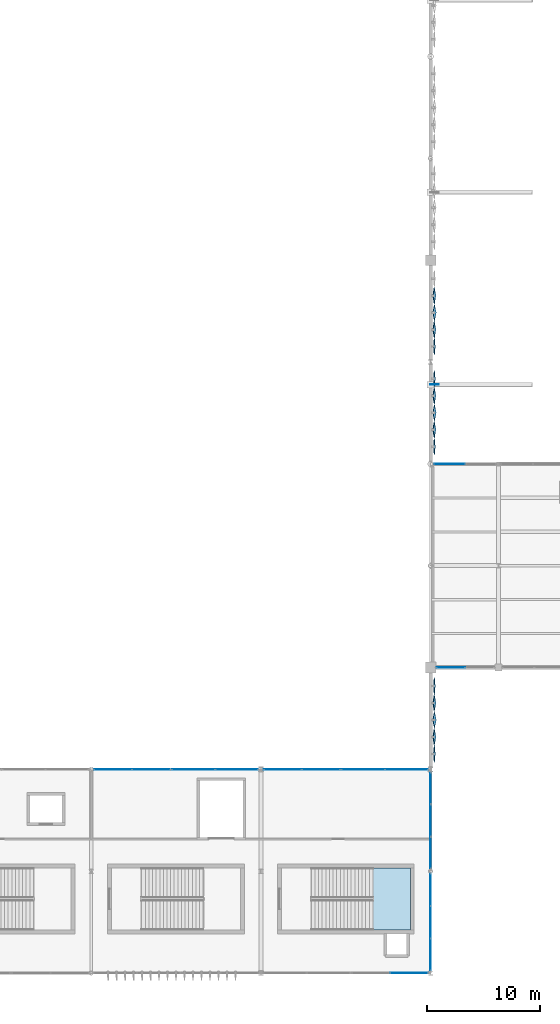
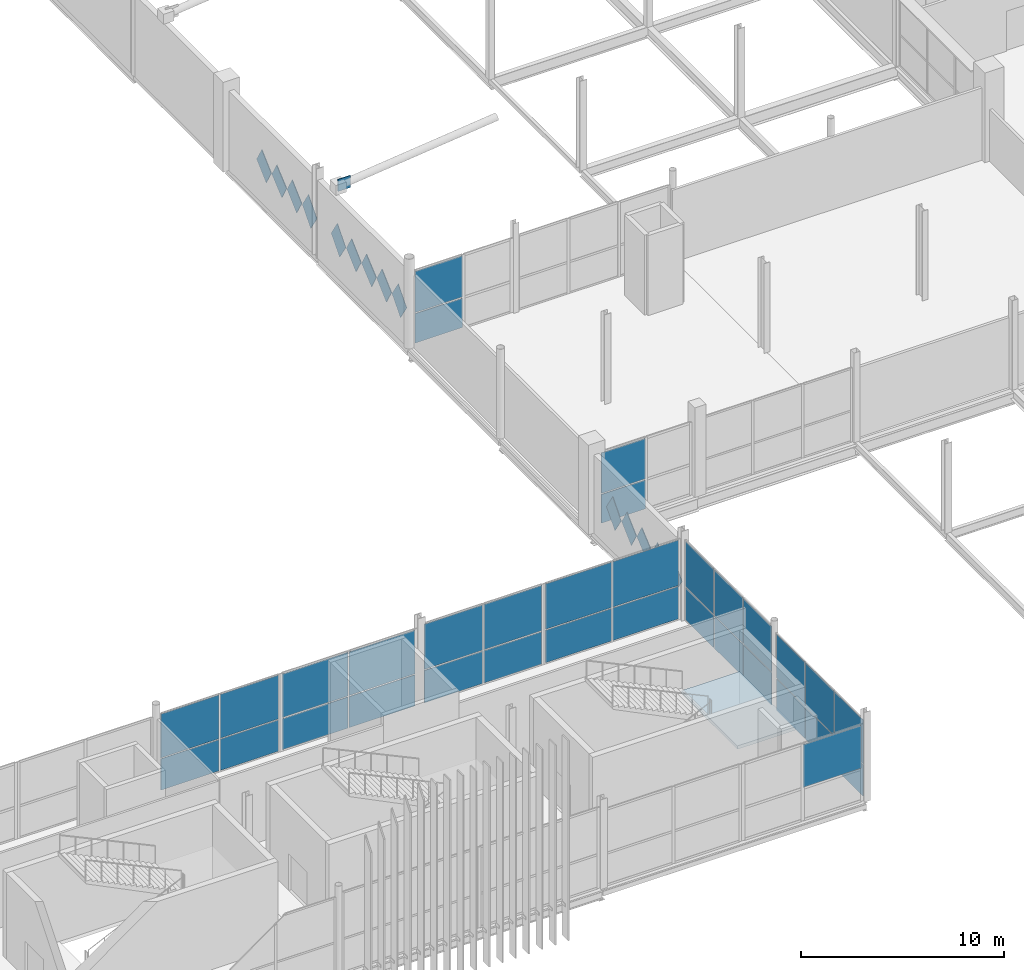
# One storey, part 71 of 119: 48 plates, 1 slab, 10 elements without a shape of their own.
"""IFC4 building model written with IfcOpenShell, lengths in metres."""

from ifc_helpers import new_model, si_unit, direction, frame, origin, origin_2d, place, context, subcontext, project, spatial, polyline, rectangle, outline, extrude, material, layer, layer_set, type_object, element, aggregate, save


model = new_model("IFC4")

# Units and contexts
model_context = context("Model", 3, precision=1e-05, world=origin(), true_north=direction((0.0, 1.0)))
body_context = subcontext(model_context, "Body", "Model", "MODEL_VIEW")
ifc_project = project(units=[si_unit("LENGTHUNIT", "METRE"), si_unit("AREAUNIT", "SQUARE_METRE"), si_unit("VOLUMEUNIT", "CUBIC_METRE"), si_unit("PLANEANGLEUNIT", "RADIAN"), si_unit("MASSUNIT", "GRAM", prefix="KILO")], contexts=[model_context])

# Site, building, storey
site_placement = place(None, origin())
site = spatial("IfcSite", under=ifc_project, at=site_placement, CompositionType="ELEMENT")
building_placement = place(site_placement, origin())
building = spatial("IfcBuilding", under=site, at=building_placement, Name="Qamarlyn Nura Convention Centre", CompositionType="ELEMENT")
storey_placement = place(building_placement, frame((0.0, 0.0, 5.39990234375)))
storey = spatial("IfcBuildingStorey", under=building, at=storey_placement, Name="L01", CompositionType="ELEMENT", Elevation=5.39990234375)

# Curtain wall, plates
ifc_material_1 = material(Name="Double-silver low-E insulated glass", Category="glass")
ifc_layer_1 = layer(ifc_material_1, 0.179931640625, Name="CW-UNIT-05")
ifc_layer_set_1 = layer_set([ifc_layer_1], Name="Double-silver low-E insulated glass")
curtain_wall_type_1 = type_object("IfcCurtainWallType", Name="CW-UNIT-05", PredefinedType="NOTDEFINED", material=ifc_layer_set_1)
curtain_wall_1_placement = place(storey_placement, origin())
curtain_wall_1 = element("IfcCurtainWall", 1, at=curtain_wall_1_placement, inside=storey, type_object=curtain_wall_type_1, Name="L01 unitised curtain wall V1-INT-S3-1A", PredefinedType="NOTDEFINED")
ifc_layer_2 = layer(ifc_material_1, 0.028076171875, Name="CWP-VIS-28")
ifc_layer_set_2 = layer_set([ifc_layer_2], Name="Double-silver low-E insulated glass")
plate_type_1 = type_object("IfcPlateType", Name="CWP-VIS-28", PredefinedType="CURTAIN_PANEL", material=ifc_layer_set_2)
plate_1_placement = place(storey_placement, frame((91.9228515625, 18.0, 0.06005859375), z_axis=(0.0, 0.0, 1.0), x_axis=(1.0, 0.0, 0.0)))
plate_1 = element("IfcPlate", 2, at=plate_1_placement, type_object=plate_type_1, Name="CW05 panel 1.1", PredefinedType="CURTAIN_PANEL", context=body_context, shape_type="SweptSolid", body=[
    extrude(rectangle(XDim=3.319091796875, YDim=0.028076171875, at=origin_2d()), origin(), (0.0, 0.0, 1.0), 1.884033203125),
])
plate_2_placement = place(storey_placement, frame((91.9228515625, 18.0, 2.00390625), z_axis=(0.0, 0.0, 1.0), x_axis=(1.0, 0.0, 0.0)))
plate_2 = element("IfcPlate", 3, at=plate_2_placement, type_object=plate_type_1, Name="CW05 panel 1.2", PredefinedType="CURTAIN_PANEL", context=body_context, shape_type="SweptSolid", body=[
    extrude(rectangle(XDim=3.319091796875, YDim=0.028076171875, at=origin_2d()), origin(), (0.0, 0.0, 1.0), 2.635009765625),
])
plate_3_placement = place(storey_placement, frame((95.302001953125, 18.0, 0.06005859375), z_axis=(0.0, 0.0, 1.0), x_axis=(1.0, 0.0, 0.0)))
plate_3 = element("IfcPlate", 4, at=plate_3_placement, type_object=plate_type_1, Name="CW05 panel 2.1", PredefinedType="CURTAIN_PANEL", context=body_context, shape_type="SweptSolid", body=[
    extrude(rectangle(XDim=3.319091796875, YDim=0.028076171875, at=origin_2d()), origin(), (0.0, 0.0, 1.0), 1.884033203125),
])
plate_4_placement = place(storey_placement, frame((95.302001953125, 18.0, 2.00390625), z_axis=(0.0, 0.0, 1.0), x_axis=(1.0, 0.0, 0.0)))
plate_4 = element("IfcPlate", 5, at=plate_4_placement, type_object=plate_type_1, Name="CW05 panel 2.2", PredefinedType="CURTAIN_PANEL", context=body_context, shape_type="SweptSolid", body=[
    extrude(rectangle(XDim=3.319091796875, YDim=0.028076171875, at=origin_2d()), origin(), (0.0, 0.0, 1.0), 2.635009765625),
])
aggregate(curtain_wall_1, [plate_1, plate_2, plate_3, plate_4])

ifc_layer_3 = layer(ifc_material_1, 0.179931640625, Name="CW-UNIT-06")
ifc_layer_set_3 = layer_set([ifc_layer_3], Name="Double-silver low-E insulated glass")
curtain_wall_type_2 = type_object("IfcCurtainWallType", Name="CW-UNIT-06", PredefinedType="NOTDEFINED", material=ifc_layer_set_3)
curtain_wall_2_placement = place(storey_placement, origin())
curtain_wall_2 = element("IfcCurtainWall", 6, at=curtain_wall_2_placement, inside=storey, type_object=curtain_wall_type_2, Name="L01 unitised curtain wall V1-INT-S3-1B", PredefinedType="NOTDEFINED")
plate_5_placement = place(storey_placement, frame((99.04248046875, 18.0, 0.0703125), z_axis=(0.0, 0.0, 1.0), x_axis=(1.0, 0.0, 0.0)))
plate_5 = element("IfcPlate", 7, at=plate_5_placement, type_object=plate_type_1, Name="CW06 panel 1.1", PredefinedType="CURTAIN_PANEL", context=body_context, shape_type="SweptSolid", body=[
    extrude(rectangle(XDim=3.741943359375, YDim=0.028076171875, at=origin_2d()), origin(), (0.0, 0.0, 1.0), 1.868896484375),
])
plate_6_placement = place(storey_placement, frame((99.04248046875, 18.0, 2.009033203125), z_axis=(0.0, 0.0, 1.0), x_axis=(1.0, 0.0, 0.0)))
plate_6 = element("IfcPlate", 8, at=plate_6_placement, type_object=plate_type_1, Name="CW06 panel 1.2", PredefinedType="CURTAIN_PANEL", context=body_context, shape_type="SweptSolid", body=[
    extrude(rectangle(XDim=3.741943359375, YDim=0.028076171875, at=origin_2d()), origin(), (0.0, 0.0, 1.0), 2.6201171875),
])
plate_7_placement = place(storey_placement, frame((102.8544921875, 18.0, 0.0703125), z_axis=(0.0, 0.0, 1.0), x_axis=(1.0, 0.0, 0.0)))
plate_7 = element("IfcPlate", 9, at=plate_7_placement, type_object=plate_type_1, Name="CW06 panel 2.1", PredefinedType="CURTAIN_PANEL", context=body_context, shape_type="SweptSolid", body=[
    extrude(rectangle(XDim=3.741943359375, YDim=0.028076171875, at=origin_2d()), origin(), (0.0, 0.0, 1.0), 1.868896484375),
])
plate_8_placement = place(storey_placement, frame((102.8544921875, 18.0, 2.009033203125), z_axis=(0.0, 0.0, 1.0), x_axis=(1.0, 0.0, 0.0)))
plate_8 = element("IfcPlate", 10, at=plate_8_placement, type_object=plate_type_1, Name="CW06 panel 2.2", PredefinedType="CURTAIN_PANEL", context=body_context, shape_type="SweptSolid", body=[
    extrude(rectangle(XDim=3.741943359375, YDim=0.028076171875, at=origin_2d()), origin(), (0.0, 0.0, 1.0), 2.6201171875),
])
aggregate(curtain_wall_2, [plate_5, plate_6, plate_7, plate_8])

ifc_layer_4 = layer(ifc_material_1, 0.179931640625, Name="CW-UNIT-07")
ifc_layer_set_4 = layer_set([ifc_layer_4], Name="Double-silver low-E insulated glass")
curtain_wall_type_3 = type_object("IfcCurtainWallType", Name="CW-UNIT-07", PredefinedType="NOTDEFINED", material=ifc_layer_set_4)
curtain_wall_3_placement = place(storey_placement, origin())
curtain_wall_3 = element("IfcCurtainWall", 11, at=curtain_wall_3_placement, inside=storey, type_object=curtain_wall_type_3, Name="L01 unitised curtain wall V1-INT-S4-1A", PredefinedType="NOTDEFINED")
plate_9_placement = place(storey_placement, frame((106.92529296875, 18.0, 0.06494140625), z_axis=(0.0, 0.0, 1.0), x_axis=(1.0, 0.0, 0.0)))
plate_9 = element("IfcPlate", 12, at=plate_9_placement, type_object=plate_type_1, Name="CW07 panel 1.1", PredefinedType="CURTAIN_PANEL", context=body_context, shape_type="SweptSolid", body=[
    extrude(rectangle(XDim=3.311279296875, YDim=0.028076171875, at=origin_2d()), origin(), (0.0, 0.0, 1.0), 1.945556640625),
])
plate_10_placement = place(storey_placement, frame((106.92529296875, 18.0, 2.075439453125), z_axis=(0.0, 0.0, 1.0), x_axis=(1.0, 0.0, 0.0)))
plate_10 = element("IfcPlate", 13, at=plate_10_placement, type_object=plate_type_1, Name="CW07 panel 1.2", PredefinedType="CURTAIN_PANEL", context=body_context, shape_type="SweptSolid", body=[
    extrude(rectangle(XDim=3.311279296875, YDim=0.028076171875, at=origin_2d()), origin(), (0.0, 0.0, 1.0), 2.724609375),
])
plate_11_placement = place(storey_placement, frame((110.301513671875, 18.0, 0.06494140625), z_axis=(0.0, 0.0, 1.0), x_axis=(1.0, 0.0, 0.0)))
plate_11 = element("IfcPlate", 14, at=plate_11_placement, type_object=plate_type_1, Name="CW07 panel 2.1", PredefinedType="CURTAIN_PANEL", context=body_context, shape_type="SweptSolid", body=[
    extrude(rectangle(XDim=3.311279296875, YDim=0.028076171875, at=origin_2d()), origin(), (0.0, 0.0, 1.0), 1.945556640625),
])
plate_12_placement = place(storey_placement, frame((110.301513671875, 18.0, 2.075439453125), z_axis=(0.0, 0.0, 1.0), x_axis=(1.0, 0.0, 0.0)))
plate_12 = element("IfcPlate", 15, at=plate_12_placement, type_object=plate_type_1, Name="CW07 panel 2.2", PredefinedType="CURTAIN_PANEL", context=body_context, shape_type="SweptSolid", body=[
    extrude(rectangle(XDim=3.311279296875, YDim=0.028076171875, at=origin_2d()), origin(), (0.0, 0.0, 1.0), 2.724609375),
])
aggregate(curtain_wall_3, [plate_9, plate_10, plate_11, plate_12])

# Curtain wall, plate
ifc_layer_5 = layer(ifc_material_1, 0.179931640625, Name="CW-UNIT-09")
ifc_layer_set_5 = layer_set([ifc_layer_5], Name="Double-silver low-E insulated glass")
curtain_wall_type_4 = type_object("IfcCurtainWallType", Name="CW-UNIT-09", PredefinedType="NOTDEFINED", material=ifc_layer_set_5)
curtain_wall_4_placement = place(storey_placement, origin())
curtain_wall_4 = element("IfcCurtainWall", 16, at=curtain_wall_4_placement, inside=storey, type_object=curtain_wall_type_4, Name="L01 unitised curtain wall SF-S4-1A", PredefinedType="NOTDEFINED")
plate_13_placement = place(storey_placement, frame((118.089111328125, 0.0, 1.97802734375), z_axis=(0.0, 0.0, 1.0), x_axis=(-1.0, 0.0, 0.0)))
plate_13 = element("IfcPlate", 17, at=plate_13_placement, type_object=plate_type_1, Name="CW09 panel 1.2", PredefinedType="CURTAIN_PANEL", context=body_context, shape_type="SweptSolid", body=[
    extrude(rectangle(XDim=3.312744140625, YDim=0.028076171875, at=origin_2d()), origin(), (0.0, 0.0, 1.0), 2.577880859375),
])
aggregate(curtain_wall_4, [plate_13])

# Curtain wall, plates
ifc_layer_6 = layer(ifc_material_1, 0.179931640625, Name="CW-UNIT-15")
ifc_layer_set_6 = layer_set([ifc_layer_6], Name="Double-silver low-E insulated glass")
curtain_wall_type_5 = type_object("IfcCurtainWallType", Name="CW-UNIT-15", PredefinedType="NOTDEFINED", material=ifc_layer_set_6)
curtain_wall_5_placement = place(storey_placement, origin())
curtain_wall_5 = element("IfcCurtainWall", 18, at=curtain_wall_5_placement, inside=storey, type_object=curtain_wall_type_5, Name="L01 unitised curtain wall V1E-1-1", PredefinedType="NOTDEFINED")
plate_14_placement = place(storey_placement, frame((120.0, 7.366455078125, 0.06005859375), z_axis=(0.0, 0.0, 1.0), x_axis=(0.0, -1.0, 0.0)))
plate_14 = element("IfcPlate", 19, at=plate_14_placement, type_object=plate_type_1, Name="CW15 panel 1.1", PredefinedType="CURTAIN_PANEL", context=body_context, shape_type="SweptSolid", body=[
    extrude(rectangle(XDim=2.79150390625, YDim=0.028076171875, at=origin_2d()), origin(), (0.0, 0.0, 1.0), 1.884033203125),
])
plate_15_placement = place(storey_placement, frame((120.0, 7.366455078125, 2.00390625), z_axis=(0.0, 0.0, 1.0), x_axis=(0.0, -1.0, 0.0)))
plate_15 = element("IfcPlate", 20, at=plate_15_placement, type_object=plate_type_1, Name="CW15 panel 1.2", PredefinedType="CURTAIN_PANEL", context=body_context, shape_type="SweptSolid", body=[
    extrude(rectangle(XDim=2.79150390625, YDim=0.028076171875, at=origin_2d()), origin(), (0.0, 0.0, 1.0), 2.635009765625),
])
plate_16_placement = place(storey_placement, frame((120.0, 4.5, 0.06005859375), z_axis=(0.0, 0.0, 1.0), x_axis=(0.0, -1.0, 0.0)))
plate_16 = element("IfcPlate", 21, at=plate_16_placement, type_object=plate_type_1, Name="CW15 panel 2.1", PredefinedType="CURTAIN_PANEL", context=body_context, shape_type="SweptSolid", body=[
    extrude(rectangle(XDim=2.8212890625, YDim=0.028076171875, at=origin_2d()), origin(), (0.0, 0.0, 1.0), 1.884033203125),
])
plate_17_placement = place(storey_placement, frame((120.0, 4.5, 2.00390625), z_axis=(0.0, 0.0, 1.0), x_axis=(0.0, -1.0, 0.0)))
plate_17 = element("IfcPlate", 22, at=plate_17_placement, type_object=plate_type_1, Name="CW15 panel 2.2", PredefinedType="CURTAIN_PANEL", context=body_context, shape_type="SweptSolid", body=[
    extrude(rectangle(XDim=2.8212890625, YDim=0.028076171875, at=origin_2d()), origin(), (0.0, 0.0, 1.0), 2.635009765625),
])
plate_18_placement = place(storey_placement, frame((120.0, 1.6337890625, 0.06005859375), z_axis=(0.0, 0.0, 1.0), x_axis=(0.0, -1.0, 0.0)))
plate_18 = element("IfcPlate", 23, at=plate_18_placement, type_object=plate_type_1, Name="CW15 panel 3.1", PredefinedType="CURTAIN_PANEL", context=body_context, shape_type="SweptSolid", body=[
    extrude(rectangle(XDim=2.79150390625, YDim=0.028076171875, at=origin_2d()), origin(), (0.0, 0.0, 1.0), 1.884033203125),
])
plate_19_placement = place(storey_placement, frame((120.0, 1.6337890625, 2.00390625), z_axis=(0.0, 0.0, 1.0), x_axis=(0.0, -1.0, 0.0)))
plate_19 = element("IfcPlate", 24, at=plate_19_placement, type_object=plate_type_1, Name="CW15 panel 3.2", PredefinedType="CURTAIN_PANEL", context=body_context, shape_type="SweptSolid", body=[
    extrude(rectangle(XDim=2.79150390625, YDim=0.028076171875, at=origin_2d()), origin(), (0.0, 0.0, 1.0), 2.635009765625),
])
aggregate(curtain_wall_5, [plate_14, plate_15, plate_16, plate_17, plate_18, plate_19])

ifc_layer_7 = layer(ifc_material_1, 0.179931640625, Name="CW-UNIT-16")
ifc_layer_set_7 = layer_set([ifc_layer_7], Name="Double-silver low-E insulated glass")
curtain_wall_type_6 = type_object("IfcCurtainWallType", Name="CW-UNIT-16", PredefinedType="NOTDEFINED", material=ifc_layer_set_7)
curtain_wall_6_placement = place(storey_placement, origin())
curtain_wall_6 = element("IfcCurtainWall", 25, at=curtain_wall_6_placement, inside=storey, type_object=curtain_wall_type_6, Name="L01 unitised curtain wall V1E-2-1", PredefinedType="NOTDEFINED")
plate_20_placement = place(storey_placement, frame((120.0, 16.3349609375, 0.070068359375), z_axis=(0.0, 0.0, 1.0), x_axis=(0.0, -1.0, 0.0)))
plate_20 = element("IfcPlate", 26, at=plate_20_placement, type_object=plate_type_1, Name="CW16 panel 1.1", PredefinedType="CURTAIN_PANEL", context=body_context, shape_type="SweptSolid", body=[
    extrude(rectangle(XDim=2.764892578125, YDim=0.028076171875, at=origin_2d()), origin(), (0.0, 0.0, 1.0), 1.93798828125),
])
plate_21_placement = place(storey_placement, frame((120.0, 16.3349609375, 2.078125), z_axis=(0.0, 0.0, 1.0), x_axis=(0.0, -1.0, 0.0)))
plate_21 = element("IfcPlate", 27, at=plate_21_placement, type_object=plate_type_1, Name="CW16 panel 1.2", PredefinedType="CURTAIN_PANEL", context=body_context, shape_type="SweptSolid", body=[
    extrude(rectangle(XDim=2.764892578125, YDim=0.028076171875, at=origin_2d()), origin(), (0.0, 0.0, 1.0), 2.717041015625),
])
plate_22_placement = place(storey_placement, frame((120.0, 13.482666015625, 0.070068359375), z_axis=(0.0, 0.0, 1.0), x_axis=(0.0, -1.0, 0.0)))
plate_22 = element("IfcPlate", 28, at=plate_22_placement, type_object=plate_type_1, Name="CW16 panel 2.1", PredefinedType="CURTAIN_PANEL", context=body_context, shape_type="SweptSolid", body=[
    extrude(rectangle(XDim=2.7998046875, YDim=0.028076171875, at=origin_2d()), origin(), (0.0, 0.0, 1.0), 1.93798828125),
])
plate_23_placement = place(storey_placement, frame((120.0, 13.482666015625, 2.078125), z_axis=(0.0, 0.0, 1.0), x_axis=(0.0, -1.0, 0.0)))
plate_23 = element("IfcPlate", 29, at=plate_23_placement, type_object=plate_type_1, Name="CW16 panel 2.2", PredefinedType="CURTAIN_PANEL", context=body_context, shape_type="SweptSolid", body=[
    extrude(rectangle(XDim=2.7998046875, YDim=0.028076171875, at=origin_2d()), origin(), (0.0, 0.0, 1.0), 2.717041015625),
])
plate_24_placement = place(storey_placement, frame((120.0, 10.63037109375, 0.070068359375), z_axis=(0.0, 0.0, 1.0), x_axis=(0.0, -1.0, 0.0)))
plate_24 = element("IfcPlate", 30, at=plate_24_placement, type_object=plate_type_1, Name="CW16 panel 3.1", PredefinedType="CURTAIN_PANEL", context=body_context, shape_type="SweptSolid", body=[
    extrude(rectangle(XDim=2.764892578125, YDim=0.028076171875, at=origin_2d()), origin(), (0.0, 0.0, 1.0), 1.93798828125),
])
plate_25_placement = place(storey_placement, frame((120.0, 10.63037109375, 2.078125), z_axis=(0.0, 0.0, 1.0), x_axis=(0.0, -1.0, 0.0)))
plate_25 = element("IfcPlate", 31, at=plate_25_placement, type_object=plate_type_1, Name="CW16 panel 3.2", PredefinedType="CURTAIN_PANEL", context=body_context, shape_type="SweptSolid", body=[
    extrude(rectangle(XDim=2.764892578125, YDim=0.028076171875, at=origin_2d()), origin(), (0.0, 0.0, 1.0), 2.717041015625),
])
aggregate(curtain_wall_6, [plate_20, plate_21, plate_22, plate_23, plate_24, plate_25])

ifc_layer_8 = layer(ifc_material_1, 0.179931640625, Name="CW-UNIT-51")
ifc_layer_set_8 = layer_set([ifc_layer_8], Name="Double-silver low-E insulated glass")
curtain_wall_type_7 = type_object("IfcCurtainWallType", Name="CW-UNIT-51", PredefinedType="NOTDEFINED", material=ifc_layer_set_8)
curtain_wall_7_placement = place(storey_placement, origin())
curtain_wall_7 = element("IfcCurtainWall", 32, at=curtain_wall_7_placement, inside=storey, type_object=curtain_wall_type_7, Name="L01 unitised curtain wall BRG-N-1", PredefinedType="NOTDEFINED")
plate_26_placement = place(storey_placement, frame((121.669921875, 45.0, 0.070068359375), z_axis=(0.0, 0.0, 1.0), x_axis=(1.0, 0.0, 0.0)))
plate_26 = element("IfcPlate", 33, at=plate_26_placement, type_object=plate_type_1, Name="CW51 panel 1.1", PredefinedType="CURTAIN_PANEL", context=body_context, shape_type="SweptSolid", body=[
    extrude(rectangle(XDim=2.691650390625, YDim=0.028076171875, at=origin_2d()), origin(), (0.0, 0.0, 1.0), 1.76904296875),
])
plate_27_placement = place(storey_placement, frame((121.669921875, 45.0, 1.9091796875), z_axis=(0.0, 0.0, 1.0), x_axis=(1.0, 0.0, 0.0)))
plate_27 = element("IfcPlate", 34, at=plate_27_placement, type_object=plate_type_1, Name="CW51 panel 1.2", PredefinedType="CURTAIN_PANEL", context=body_context, shape_type="SweptSolid", body=[
    extrude(rectangle(XDim=2.691650390625, YDim=0.028076171875, at=origin_2d()), origin(), (0.0, 0.0, 1.0), 2.48193359375),
])
aggregate(curtain_wall_7, [plate_26, plate_27])

ifc_layer_9 = layer(ifc_material_1, 0.179931640625, Name="CW-UNIT-08")
ifc_layer_set_9 = layer_set([ifc_layer_9], Name="Double-silver low-E insulated glass")
curtain_wall_type_8 = type_object("IfcCurtainWallType", Name="CW-UNIT-08", PredefinedType="NOTDEFINED", material=ifc_layer_set_9)
curtain_wall_8_placement = place(storey_placement, origin())
curtain_wall_8 = element("IfcCurtainWall", 35, at=curtain_wall_8_placement, inside=storey, type_object=curtain_wall_type_8, Name="L01 unitised curtain wall V1-INT-S4-1B", PredefinedType="NOTDEFINED")
ifc_layer_10 = layer(ifc_material_1, 0.031982421875, Name="CWP-VIS-32")
ifc_layer_set_10 = layer_set([ifc_layer_10], Name="Double-silver low-E insulated glass")
plate_type_2 = type_object("IfcPlateType", Name="CWP-VIS-32", PredefinedType="CURTAIN_PANEL", material=ifc_layer_set_10)
plate_28_placement = place(storey_placement, frame((114.04052734375, 18.0, 0.06005859375), z_axis=(0.0, 0.0, 1.0), x_axis=(1.0, 0.0, 0.0)))
plate_28 = element("IfcPlate", 36, at=plate_28_placement, type_object=plate_type_2, Name="CW08 panel 1.1", PredefinedType="CURTAIN_PANEL", context=body_context, shape_type="SweptSolid", body=[
    extrude(rectangle(XDim=3.756591796875, YDim=0.031982421875, at=origin_2d()), origin(), (0.0, 0.0, 1.0), 1.952880859375),
])
plate_29_placement = place(storey_placement, frame((114.04052734375, 18.0, 2.0732421875), z_axis=(0.0, 0.0, 1.0), x_axis=(1.0, 0.0, 0.0)))
plate_29 = element("IfcPlate", 37, at=plate_29_placement, type_object=plate_type_2, Name="CW08 panel 1.2", PredefinedType="CURTAIN_PANEL", context=body_context, shape_type="SweptSolid", body=[
    extrude(rectangle(XDim=3.756591796875, YDim=0.031982421875, at=origin_2d()), origin(), (0.0, 0.0, 1.0), 2.73193359375),
])
plate_30_placement = place(storey_placement, frame((117.857177734375, 18.0, 0.06005859375), z_axis=(0.0, 0.0, 1.0), x_axis=(1.0, 0.0, 0.0)))
plate_30 = element("IfcPlate", 38, at=plate_30_placement, type_object=plate_type_2, Name="CW08 panel 2.1", PredefinedType="CURTAIN_PANEL", context=body_context, shape_type="SweptSolid", body=[
    extrude(rectangle(XDim=3.756591796875, YDim=0.031982421875, at=origin_2d()), origin(), (0.0, 0.0, 1.0), 1.952880859375),
])
plate_31_placement = place(storey_placement, frame((117.857177734375, 18.0, 2.0732421875), z_axis=(0.0, 0.0, 1.0), x_axis=(1.0, 0.0, 0.0)))
plate_31 = element("IfcPlate", 39, at=plate_31_placement, type_object=plate_type_2, Name="CW08 panel 2.2", PredefinedType="CURTAIN_PANEL", context=body_context, shape_type="SweptSolid", body=[
    extrude(rectangle(XDim=3.756591796875, YDim=0.031982421875, at=origin_2d()), origin(), (0.0, 0.0, 1.0), 2.73193359375),
])
aggregate(curtain_wall_8, [plate_28, plate_29, plate_30, plate_31])

ifc_layer_11 = layer(ifc_material_1, 0.179931640625, Name="CW-UNIT-54")
ifc_layer_set_11 = layer_set([ifc_layer_11], Name="Double-silver low-E insulated glass")
curtain_wall_type_9 = type_object("IfcCurtainWallType", Name="CW-UNIT-54", PredefinedType="NOTDEFINED", material=ifc_layer_set_11)
curtain_wall_9_placement = place(storey_placement, origin())
curtain_wall_9 = element("IfcCurtainWall", 40, at=curtain_wall_9_placement, inside=storey, type_object=curtain_wall_type_9, Name="L01 unitised curtain wall BRG-S-2", PredefinedType="NOTDEFINED")
plate_32_placement = place(storey_placement, frame((121.79248046875, 27.0, 0.070068359375), z_axis=(0.0, 0.0, 1.0), x_axis=(-1.0, 0.0, 0.0)))
plate_32 = element("IfcPlate", 41, at=plate_32_placement, type_object=plate_type_2, Name="CW54 panel 2.1", PredefinedType="CURTAIN_PANEL", context=body_context, shape_type="SweptSolid", body=[
    extrude(rectangle(XDim=2.4951171875, YDim=0.031982421875, at=origin_2d()), origin(), (0.0, 0.0, 1.0), 1.73095703125),
])
plate_33_placement = place(storey_placement, frame((121.79248046875, 27.0, 1.87109375), z_axis=(0.0, 0.0, 1.0), x_axis=(-1.0, 0.0, 0.0)))
plate_33 = element("IfcPlate", 42, at=plate_33_placement, type_object=plate_type_2, Name="CW54 panel 2.2", PredefinedType="CURTAIN_PANEL", context=body_context, shape_type="SweptSolid", body=[
    extrude(rectangle(XDim=2.4951171875, YDim=0.031982421875, at=origin_2d()), origin(), (0.0, 0.0, 1.0), 2.430908203125),
])
aggregate(curtain_wall_9, [plate_32, plate_33])

# Plates
ifc_material_2 = material(Name="White high-albedo PVDF aluminium composite sheet", Category="aluminium")
ifc_layer_12 = layer(ifc_material_2, 0.02392578125, Name="FP-DIAM-03")
ifc_layer_set_12 = layer_set([ifc_layer_12], Name="White high-albedo PVDF aluminium composite sheet")
plate_type_3 = type_object("IfcPlateType", Name="FP-DIAM-03", PredefinedType="SHEET", material=ifc_layer_set_12)
for number, where, z_axis, x_axis, name in (
    (43, (120.31005859375, 25.36865234375, 1.7001953125), (0.998059468659, 0.0, 0.062267945373), (0.0, 1.0, 0.0), "L01 pivoted white diamond facade tile 0158"),
    (44, (120.31005859375, 19.36865234375, 1.7001953125), (0.998059468659, 0.0, 0.062267945373), (0.0, 1.0, 0.0), "L01 pivoted white diamond facade tile 0162"),
    (45, (120.31005859375, 52.520751953125, 1.7001953125), (0.998059468659, 0.0, 0.062267945373), (0.0, 1.0, 0.0), "L01 pivoted white diamond facade tile 0163"),
    (46, (120.31005859375, 46.520751953125, 1.7001953125), (0.998059468659, 0.0, 0.062267945373), (0.0, 1.0, 0.0), "L01 pivoted white diamond facade tile 0167"),
    (47, (120.31005859375, 55.36865234375, 1.7001953125), (0.998059468659, 0.0, 0.062267945373), (0.0, 1.0, 0.0), "L01 pivoted white diamond facade tile 0172"),
):
    element("IfcPlate", number, at=place(storey_placement, frame(where, z_axis=z_axis, x_axis=x_axis)), inside=storey, type_object=plate_type_3, Name=name, PredefinedType="SHEET", context=body_context, shape_type="SweptSolid", body=[
        extrude(outline(polyline([(-0.719970703125, 0.0), (0.0, -1.050048828125), (0.719970703125, 0.0), (0.0, 1.050048828125), (-0.719970703125, 0.0)])), origin(), (0.0, 0.0, 1.0), 0.02392578125),
    ])
ifc_layer_13 = layer(ifc_material_2, 0.0380859375, Name="FP-DIAM-07")
ifc_layer_set_13 = layer_set([ifc_layer_13], Name="White high-albedo PVDF aluminium composite sheet")
plate_type_4 = type_object("IfcPlateType", Name="FP-DIAM-07", PredefinedType="SHEET", material=ifc_layer_set_13)
for number, where, z_axis, x_axis, name in (
    (48, (120.31005859375, 23.86865234375, 1.7001953125), (0.99271534578, 0.0, 0.120483369194), (0.0, 1.0, 0.0), "L01 pivoted white diamond facade tile 0159"),
    (49, (120.31005859375, 20.86865234375, 1.7001953125), (0.99271534578, 0.0, 0.120483369194), (0.0, 1.0, 0.0), "L01 pivoted white diamond facade tile 0161"),
    (50, (120.31005859375, 51.020751953125, 1.7001953125), (0.99271534578, 0.0, 0.120483369194), (0.0, 1.0, 0.0), "L01 pivoted white diamond facade tile 0164"),
    (51, (120.31005859375, 48.020751953125, 1.7001953125), (0.99271534578, 0.0, 0.120483369194), (0.0, 1.0, 0.0), "L01 pivoted white diamond facade tile 0166"),
    (52, (120.31005859375, 59.86865234375, 1.7001953125), (0.99271534578, 0.0, 0.120483369194), (0.0, 1.0, 0.0), "L01 pivoted white diamond facade tile 0169"),
    (53, (120.31005859375, 56.86865234375, 1.7001953125), (0.99271534578, 0.0, 0.120483369194), (0.0, 1.0, 0.0), "L01 pivoted white diamond facade tile 0171"),
):
    element("IfcPlate", number, at=place(storey_placement, frame(where, z_axis=z_axis, x_axis=x_axis)), inside=storey, type_object=plate_type_4, Name=name, PredefinedType="SHEET", context=body_context, shape_type="SweptSolid", body=[
        extrude(outline(polyline([(-0.719970703125, 0.0), (0.0, -1.050048828125), (0.719970703125, 0.0), (0.0, 1.050048828125), (-0.719970703125, 0.0)])), origin(), (0.0, 0.0, 1.0), 0.0380859375),
    ])
ifc_layer_14 = layer(ifc_material_2, 0.0439453125, Name="FP-DIAM-08")
ifc_layer_set_14 = layer_set([ifc_layer_14], Name="White high-albedo PVDF aluminium composite sheet")
plate_type_5 = type_object("IfcPlateType", Name="FP-DIAM-08", PredefinedType="SHEET", material=ifc_layer_set_14)
for number, where, z_axis, x_axis, name in (
    (54, (120.31005859375, 22.36865234375, 1.7001953125), (0.989776230908, 0.0, 0.142628933706), (0.0, 1.0, 0.0), "L01 pivoted white diamond facade tile 0160"),
    (55, (120.31005859375, 49.520751953125, 1.7001953125), (0.989776230908, 0.0, 0.142628933706), (0.0, 1.0, 0.0), "L01 pivoted white diamond facade tile 0165"),
    (56, (120.31005859375, 58.36865234375, 1.7001953125), (0.989776230908, 0.0, 0.142628933706), (0.0, 1.0, 0.0), "L01 pivoted white diamond facade tile 0170"),
):
    element("IfcPlate", number, at=place(storey_placement, frame(where, z_axis=z_axis, x_axis=x_axis)), inside=storey, type_object=plate_type_5, Name=name, PredefinedType="SHEET", context=body_context, shape_type="SweptSolid", body=[
        extrude(outline(polyline([(-0.719970703125, 0.0), (0.0, -1.050048828125), (0.719970703125, 0.0), (0.0, 1.050048828125), (-0.719970703125, 0.0)])), origin(), (0.0, 0.0, 1.0), 0.0439453125),
    ])
ifc_material_3 = material(Name="Structural steel ASTM A572 Grade 50", Category="steel")
ifc_layer_15 = layer(ifc_material_3, 0.035888671875, Name="GP-SN1")
ifc_layer_set_15 = layer_set([ifc_layer_15], Name="Structural steel ASTM A572 Grade 50")
plate_type_6 = type_object("IfcPlateType", Name="GP-SN1", PredefinedType="USERDEFINED", material=ifc_layer_set_15)
plate_34_placement = place(storey_placement, frame((120.337890625, 52.0, 5.078125), z_axis=(0.0, 0.0, 1.0), x_axis=(1.0, 0.0, 0.0)))
element("IfcPlate", 57, at=plate_34_placement, inside=storey, type_object=plate_type_6, Name="Tree strut gusset plate E-4-B", ObjectType="GUSSET PLATE", PredefinedType="USERDEFINED", context=body_context, shape_type="SweptSolid", body=[
    extrude(rectangle(XDim=0.719970703125, YDim=0.035888671875, at=origin_2d()), origin(), (0.0, 0.0, 1.0), 0.719970703125),
])

# Stair, slab
ifc_material_4 = material(Name="Concrete C40/50", Category="concrete")
stair_type = type_object("IfcStairType", Name="STAIR-EXIT-54", PredefinedType="HALF_TURN_STAIR", material=ifc_material_4)
stair_placement = place(storey_placement, origin())
stair = element("IfcStair", 58, at=stair_placement, inside=storey, type_object=stair_type, Name="L01 Enclosed exit stair ST-08", PredefinedType="HALF_TURN_STAIR")
ifc_layer_16 = layer(ifc_material_4, 0.199951171875, Name="SL-LAND-200")
ifc_layer_set_16 = layer_set([ifc_layer_16], Name="Concrete C40/50")
slab_type = type_object("IfcSlabType", Name="SL-LAND-200", PredefinedType="LANDING", material=ifc_layer_set_16)
slab_placement = place(storey_placement, frame((0.0, 0.0, 2.5)))
slab = element("IfcSlab", 59, at=slab_placement, type_object=slab_type, Name="ST-08 landing 1", PredefinedType="LANDING", context=body_context, shape_type="SweptSolid", body=[
    extrude(outline(polyline([(114.89990234375, 3.800048828125), (118.199951171875, 3.800048828125), (118.199951171875, 9.300048828125), (114.89990234375, 9.300048828125), (114.89990234375, 3.800048828125)])), origin(), (0.0, 0.0, 1.0), 0.2001953125),
])
aggregate(stair, [slab])

save(model, "model.ifc")
